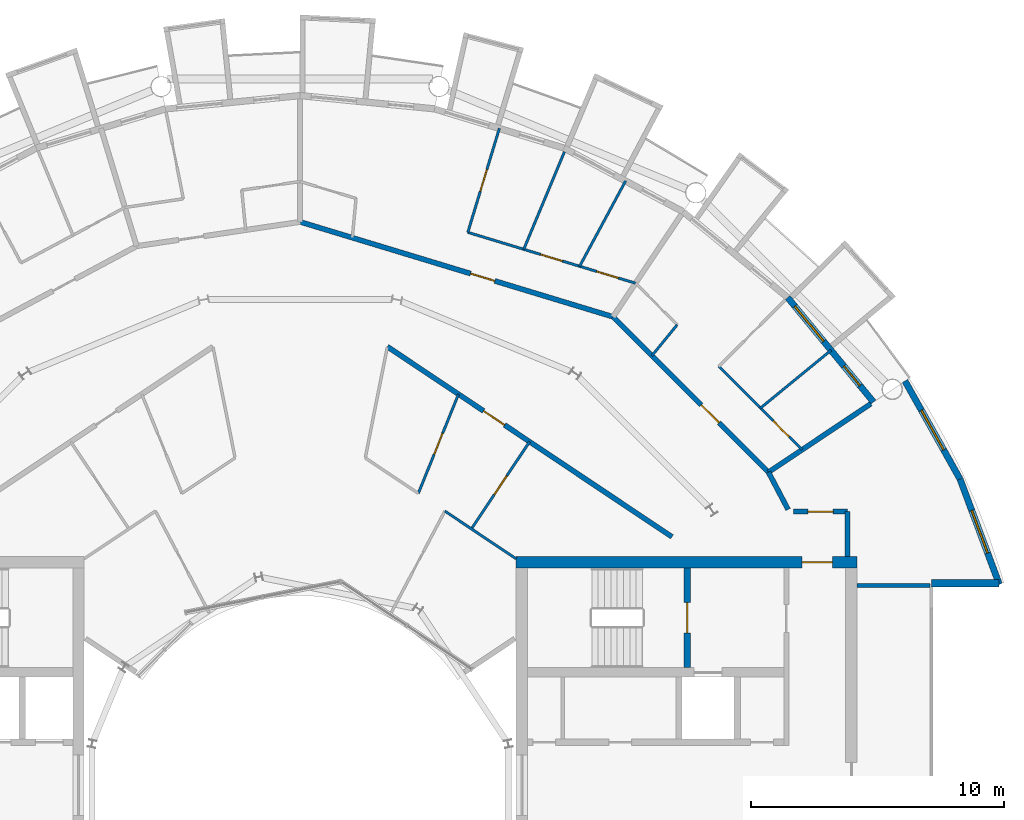
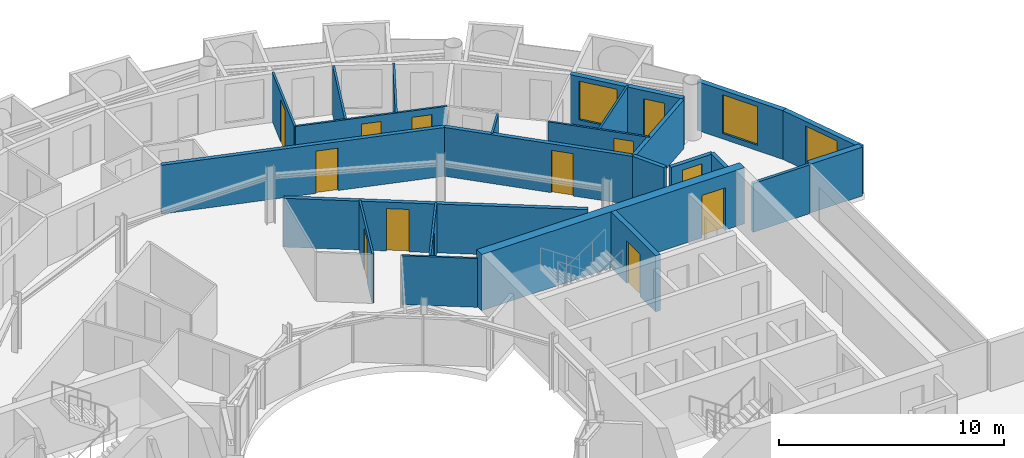
# One storey, part 23 of 28: 24 walls, 13 doors, 3 windows, 16 openings.
"""IFC4 building model written with IfcOpenShell, lengths in metres."""

from ifc_helpers import new_model, si_unit, direction, frame, frame_2d, origin, place, context, subcontext, project, spatial, rectangle, extrude, material, layer, layer_set, type_object, element, fill, save


model = new_model("IFC4")

# Units and contexts
model_context = context("Model", 3, precision=1e-05, world=origin(), true_north=direction((0.0, 1.0)))
body_context = subcontext(model_context, "Body", "Model", "MODEL_VIEW")
ifc_project = project(units=[si_unit("LENGTHUNIT", "METRE"), si_unit("AREAUNIT", "SQUARE_METRE"), si_unit("VOLUMEUNIT", "CUBIC_METRE"), si_unit("PLANEANGLEUNIT", "RADIAN"), si_unit("MASSUNIT", "GRAM", prefix="KILO")], contexts=[model_context])

# Site, building, storey
site_placement = place(None, origin())
site = spatial("IfcSite", under=ifc_project, at=site_placement, CompositionType="ELEMENT")
building_placement = place(site_placement, origin())
building = spatial("IfcBuilding", under=site, at=building_placement, Name="Maasbend Ring Residences", CompositionType="ELEMENT")
storey_placement = place(building_placement, frame((0.0, 0.0, 218.800048828125)))
storey = spatial("IfcBuildingStorey", under=building, at=storey_placement, Name="L63", CompositionType="ELEMENT", Elevation=218.800048828125)

# Wall, opening, door
ifc_material_1 = material(Name="Concrete C50/60", Category="concrete")
ifc_layer_1 = layer(ifc_material_1, 0.25)
ifc_layer_set_1 = layer_set([ifc_layer_1], Name="Concrete C50/60")
wall_type_1 = type_object("IfcWallType", Name="CORE WALL 250 C50/60", PredefinedType="SHEAR", material=ifc_layer_set_1)
wall_1_placement = place(storey_placement, frame((15.324951171875, 4.64990234375, 0.0), z_axis=(0.0, 0.0, 1.0), x_axis=(0.0, 1.0, 0.0)))
wall_1 = element("IfcWall", 1, at=wall_1_placement, inside=storey, type_object=wall_type_1, Name="L63 core E wall STEN", PredefinedType="SHEAR", context=body_context, shape_type="SweptSolid", body=[
    extrude(rectangle(XDim=3.9501953125, YDim=0.25, at=frame_2d((1.97509765625, 0.0))), origin(), (0.0, 0.0, 1.0), 3.050048828125),
])
opening_1_placement = place(wall_1_placement, frame((1.375, 0.0, 0.0)))
opening_1 = element("IfcOpeningElement", 2, at=opening_1_placement, cuts=wall_1, Name="Opening D-E6311", PredefinedType="OPENING", context=body_context, shape_type="SweptSolid", body=[
    extrude(rectangle(XDim=1.199951171875, YDim=2.300048828125, at=frame_2d((0.60009765625, 1.14990234375))), frame((0.0, 0.135009765625, 0.0), z_axis=(0.0, -1.0, 0.0), x_axis=(1.0, 0.0, 0.0)), (0.0, 0.0, 1.0), 0.27001953125),
])
ifc_material_2 = material(Name="Steel, powder coated", Category="steel")
door_type_1 = type_object("IfcDoorType", Name="STAIR DOOR 1200 X 2300 FD60", OperationType="NOTDEFINED", PredefinedType="DOOR", material=ifc_material_2)
door_1_placement = place(opening_1_placement, origin())
door_1 = element("IfcDoor", 3, at=door_1_placement, inside=storey, type_object=door_type_1, Name="Stair door ST-E L63", OperationType="SINGLE_SWING_LEFT", OverallHeight=2.300048828125, OverallWidth=1.199951171875, PredefinedType="DOOR", context=body_context, shape_type="SweptSolid", body=[
    extrude(rectangle(XDim=1.199951171875, YDim=2.300048828125, at=frame_2d((0.60009765625, 1.14990234375))), frame((0.0, 0.02490234375, 0.0), z_axis=(0.0, -1.0, 0.0), x_axis=(1.0, 0.0, 0.0)), (0.0, 0.0, 1.0), 0.050048828125),
])
fill(opening_1, door_1)

ifc_material_3 = material(Name="Concrete C50/60", Category="concrete")
ifc_layer_2 = layer(ifc_material_3, 0.449951171875)
ifc_layer_set_2 = layer_set([ifc_layer_2], Name="Concrete C50/60")
wall_type_2 = type_object("IfcWallType", Name="CORE WALL 450 C50/60", PredefinedType="SHEAR", material=ifc_layer_set_2)
wall_2_placement = place(storey_placement, frame((22.050048828125, 8.824951171875, 0.0), z_axis=(0.0, 0.0, 1.0), x_axis=(-1.0, 0.0, 0.0)))
wall_2 = element("IfcWall", 4, at=wall_2_placement, inside=storey, type_object=wall_type_2, Name="L63 core E wall PN", PredefinedType="SHEAR", context=body_context, shape_type="SweptSolid", body=[
    extrude(rectangle(XDim=13.5, YDim=0.449951171875, at=frame_2d((6.75, 0.0))), origin(), (0.0, 0.0, 1.0), 3.050048828125),
])
opening_2_placement = place(wall_2_placement, frame((0.97509765625, 0.0, 0.0)))
opening_2 = element("IfcOpeningElement", 5, at=opening_2_placement, cuts=wall_2, Name="Opening D-E6315", PredefinedType="OPENING", context=body_context, shape_type="SweptSolid", body=[
    extrude(rectangle(XDim=1.199951171875, YDim=2.300048828125, at=frame_2d((0.60009765625, 1.14990234375))), frame((0.0, 0.23486328125, 0.0), z_axis=(0.0, -1.0, 0.0), x_axis=(1.0, 0.0, 0.0)), (0.0, 0.0, 1.0), 0.469970703125),
])
ifc_material_4 = material(Name="Steel, powder coated", Category="steel")
door_type_2 = type_object("IfcDoorType", Name="CORRIDOR DOOR 1200 X 2300 FD30S", OperationType="NOTDEFINED", PredefinedType="DOOR", material=ifc_material_4)
door_2_placement = place(opening_2_placement, origin())
door_2 = element("IfcDoor", 6, at=door_2_placement, inside=storey, type_object=door_type_2, Name="Corridor door L63", OperationType="SINGLE_SWING_RIGHT", OverallHeight=2.300048828125, OverallWidth=1.199951171875, PredefinedType="DOOR", context=body_context, shape_type="SweptSolid", body=[
    extrude(rectangle(XDim=1.199951171875, YDim=2.300048828125, at=frame_2d((0.60009765625, 1.14990234375))), frame((0.0, 0.02490234375, 0.0), z_axis=(0.0, -1.0, 0.0), x_axis=(1.0, 0.0, 0.0)), (0.0, 0.0, 1.0), 0.050048828125),
])
fill(opening_2, door_2)

# Wall
ifc_material_5 = material(Name="Concrete C30/37", Category="concrete")
ifc_layer_3 = layer(ifc_material_5, 0.199951171875)
ifc_layer_set_3 = layer_set([ifc_layer_3], Name="Concrete C30/37")
wall_type_3 = type_object("IfcWallType", Name="CORRIDOR WALL 200 CONCRETE", PredefinedType="PARTITIONING", material=ifc_layer_set_3)
wall_3_placement = place(storey_placement, frame((21.675048828125, 9.050048828125, 0.0), z_axis=(0.0, 0.0, 1.0), x_axis=(0.0, 1.0, 0.0)))
element("IfcWall", 7, at=wall_3_placement, inside=storey, type_object=wall_type_3, Name="U-L63-w018", PredefinedType="PARTITIONING", context=body_context, shape_type="SweptSolid", body=[
    extrude(rectangle(XDim=1.77490234375, YDim=0.199951171875, at=frame_2d((0.887451171875, 0.0))), origin(), (0.0, 0.0, 1.0), 2.64990234375),
])

# Wall, opening, door
wall_4_placement = place(storey_placement, frame((19.52294921875, 10.824951171875, 0.0), z_axis=(0.0, 0.0, 1.0), x_axis=(1.0, 0.0, 0.0)))
wall_4 = element("IfcWall", 8, at=wall_4_placement, inside=storey, type_object=wall_type_3, Name="U-L63-w092", PredefinedType="PARTITIONING", context=body_context, shape_type="SweptSolid", body=[
    extrude(rectangle(XDim=2.152099609375, YDim=0.199951171875, at=frame_2d((1.076171875, 0.0))), origin(), (0.0, 0.0, 1.0), 2.64990234375),
])
opening_3_placement = place(wall_4_placement, frame((0.575927734375, 0.0, 0.0)))
opening_3 = element("IfcOpeningElement", 9, at=opening_3_placement, cuts=wall_4, Name="Opening D-6361", PredefinedType="OPENING", context=body_context, shape_type="SweptSolid", body=[
    extrude(rectangle(XDim=1.0, YDim=2.300048828125, at=frame_2d((0.5, 1.14990234375))), frame((0.0, 0.10986328125, 0.0), z_axis=(0.0, -1.0, 0.0), x_axis=(1.0, 0.0, 0.0)), (0.0, 0.0, 1.0), 0.219970703125),
])
ifc_material_6 = material(Name="Timber, painted", Category="wood")
door_type_3 = type_object("IfcDoorType", Name="ROOM DOOR 1000 X 2300", OperationType="NOTDEFINED", PredefinedType="DOOR", material=ifc_material_6)
door_3_placement = place(opening_3_placement, origin())
door_3 = element("IfcDoor", 10, at=door_3_placement, inside=storey, type_object=door_type_3, Name="D-6361", OperationType="SINGLE_SWING_LEFT", OverallHeight=2.300048828125, OverallWidth=1.0, PredefinedType="DOOR", context=body_context, shape_type="SweptSolid", body=[
    extrude(rectangle(XDim=1.0, YDim=2.300048828125, at=frame_2d((0.5, 1.14990234375))), frame((0.0, 0.02490234375, 0.0), z_axis=(0.0, -1.0, 0.0), x_axis=(1.0, 0.0, 0.0)), (0.0, 0.0, 1.0), 0.050048828125),
])
fill(opening_3, door_3)

wall_5_placement = place(storey_placement, frame((3.452880859375, 17.360107421875, 0.0), z_axis=(0.0, 0.0, 1.0), x_axis=(0.831437137577, -0.555618831806, 0.0)))
wall_5 = element("IfcWall", 11, at=wall_5_placement, inside=storey, type_object=wall_type_3, Name="U-L63-w098", PredefinedType="PARTITIONING", context=body_context, shape_type="SweptSolid", body=[
    extrude(rectangle(XDim=13.549072265625, YDim=0.199951171875, at=frame_2d((6.7744140625, 0.0))), origin(), (0.0, 0.0, 1.0), 2.64990234375),
])
opening_4_placement = place(wall_5_placement, frame((4.5810546875, 0.0, 0.0)))
opening_4 = element("IfcOpeningElement", 12, at=opening_4_placement, cuts=wall_5, Name="Opening D-6320", PredefinedType="OPENING", context=body_context, shape_type="SweptSolid", body=[
    extrude(rectangle(XDim=1.0, YDim=2.300048828125, at=frame_2d((0.5, 1.14990234375))), frame((0.0, 0.10986328125, 0.0), z_axis=(0.0, -1.0, 0.0), x_axis=(1.0, 0.0, 0.0)), (0.0, 0.0, 1.0), 0.219970703125),
])
ifc_material_7 = material(Name="Timber, fire-rated, painted", Category="wood")
door_type_4 = type_object("IfcDoorType", Name="FLAT ENTRANCE DOOR 1000 X 2300 FIRE-RATED", OperationType="NOTDEFINED", PredefinedType="DOOR", material=ifc_material_7)
door_4_placement = place(opening_4_placement, origin())
door_4 = element("IfcDoor", 13, at=door_4_placement, inside=storey, type_object=door_type_4, Name="D-6320", OperationType="SINGLE_SWING_LEFT", OverallHeight=2.300048828125, OverallWidth=1.0, PredefinedType="DOOR", context=body_context, shape_type="SweptSolid", body=[
    extrude(rectangle(XDim=1.0, YDim=2.300048828125, at=frame_2d((0.5, 1.14990234375))), frame((0.0, 0.02490234375, 0.0), z_axis=(0.0, -1.0, 0.0), x_axis=(1.0, 0.0, 0.0)), (0.0, 0.0, 1.0), 0.050048828125),
])
fill(opening_4, door_4)

wall_6_placement = place(storey_placement, frame((0.0, 22.300048828125, 0.0), z_axis=(0.0, 0.0, 1.0), x_axis=(0.956942051091, -0.290279022415, 0.0)))
wall_6 = element("IfcWall", 14, at=wall_6_placement, inside=storey, type_object=wall_type_3, Name="U-L63-w099", PredefinedType="PARTITIONING", context=body_context, shape_type="SweptSolid", body=[
    extrude(rectangle(XDim=12.9462890625, YDim=0.199951171875, at=frame_2d((6.47314453125, 0.0))), origin(), (0.0, 0.0, 1.0), 2.64990234375),
])
opening_5_placement = place(wall_6_placement, frame((7.052001953125, 0.0, 0.0)))
opening_5 = element("IfcOpeningElement", 15, at=opening_5_placement, cuts=wall_6, Name="Opening D-6305", PredefinedType="OPENING", context=body_context, shape_type="SweptSolid", body=[
    extrude(rectangle(XDim=1.0, YDim=2.300048828125, at=frame_2d((0.5, 1.14990234375))), frame((0.0, 0.10986328125, 0.0), z_axis=(0.0, -1.0, 0.0), x_axis=(1.0, 0.0, 0.0)), (0.0, 0.0, 1.0), 0.219970703125),
])
door_5_placement = place(opening_5_placement, origin())
door_5 = element("IfcDoor", 16, at=door_5_placement, inside=storey, type_object=door_type_4, Name="D-6305", OperationType="SINGLE_SWING_RIGHT", OverallHeight=2.300048828125, OverallWidth=1.0, PredefinedType="DOOR", context=body_context, shape_type="SweptSolid", body=[
    extrude(rectangle(XDim=1.0, YDim=2.300048828125, at=frame_2d((0.5, 1.14990234375))), frame((0.0, 0.02490234375, 0.0), z_axis=(0.0, -1.0, 0.0), x_axis=(1.0, 0.0, 0.0)), (0.0, 0.0, 1.0), 0.050048828125),
])
fill(opening_5, door_5)

wall_7_placement = place(storey_placement, frame((12.388916015625, 18.5419921875, 0.0), z_axis=(0.0, 0.0, 1.0), x_axis=(0.707106781187, -0.707106781187, 0.0)))
wall_7 = element("IfcWall", 17, at=wall_7_placement, inside=storey, type_object=wall_type_3, Name="U-L63-w103", PredefinedType="PARTITIONING", context=body_context, shape_type="SweptSolid", body=[
    extrude(rectangle(XDim=8.70166015625, YDim=0.199951171875, at=frame_2d((4.350830078125, 0.0))), origin(), (0.0, 0.0, 1.0), 2.64990234375),
])
opening_6_placement = place(wall_7_placement, frame((4.93798828125, 0.0, 0.0)))
opening_6 = element("IfcOpeningElement", 18, at=opening_6_placement, cuts=wall_7, Name="Opening D-6301", PredefinedType="OPENING", context=body_context, shape_type="SweptSolid", body=[
    extrude(rectangle(XDim=1.0, YDim=2.300048828125, at=frame_2d((0.5, 1.14990234375))), frame((0.0, 0.10986328125, 0.0), z_axis=(0.0, -1.0, 0.0), x_axis=(1.0, 0.0, 0.0)), (0.0, 0.0, 1.0), 0.219970703125),
])
door_6_placement = place(opening_6_placement, origin())
door_6 = element("IfcDoor", 19, at=door_6_placement, inside=storey, type_object=door_type_4, Name="D-6301", OperationType="SINGLE_SWING_RIGHT", OverallHeight=2.300048828125, OverallWidth=1.0, PredefinedType="DOOR", context=body_context, shape_type="SweptSolid", body=[
    extrude(rectangle(XDim=1.0, YDim=2.300048828125, at=frame_2d((0.5, 1.14990234375))), frame((0.0, 0.02490234375, 0.0), z_axis=(0.0, -1.0, 0.0), x_axis=(1.0, 0.0, 0.0)), (0.0, 0.0, 1.0), 0.050048828125),
])
fill(opening_6, door_6)

# Wall
wall_8_placement = place(storey_placement, frame((18.5419921875, 12.388916015625, 0.0), z_axis=(0.0, 0.0, 1.0), x_axis=(0.465359652486, -0.885121683068, 0.0)))
element("IfcWall", 20, at=wall_8_placement, inside=storey, type_object=wall_type_3, Name="U-L63-w107", PredefinedType="PARTITIONING", context=body_context, shape_type="SweptSolid", body=[
    extrude(rectangle(XDim=1.665283203125, YDim=0.199951171875, at=frame_2d((0.83251953125, 0.0))), origin(), (0.0, 0.0, 1.0), 2.64990234375),
])

# Wall, openings, door, window
ifc_material_8 = material(Name="Aluminium clad insulated panel", Category="aluminium")
ifc_layer_4 = layer(ifc_material_8, 0.25)
ifc_layer_set_4 = layer_set([ifc_layer_4], Name="EW-GL")
wall_type_4 = type_object("IfcWallType", Name="EW-GL", PredefinedType="SOLIDWALL", material=ifc_layer_set_4)
wall_9_placement = place(storey_placement, frame((22.698974609375, 15.1669921875, 0.0), z_axis=(0.0, 0.0, 1.0), x_axis=(-0.634382322723, 0.773019449054, 0.0)))
wall_9 = element("IfcWall", 21, at=wall_9_placement, inside=storey, type_object=wall_type_4, Name="External wall N01", PredefinedType="SOLIDWALL", context=body_context, shape_type="SweptSolid", body=[
    extrude(rectangle(XDim=5.351806640625, YDim=0.25, at=frame_2d((2.67578125, 0.0))), origin(), (0.0, 0.0, 1.0), 2.64990234375),
])
opening_7_placement = place(wall_9_placement, frame((0.841064453125, 0.0, 0.0)))
opening_7 = element("IfcOpeningElement", 22, at=opening_7_placement, cuts=wall_9, Name="Opening D-LG", PredefinedType="OPENING", context=body_context, shape_type="SweptSolid", body=[
    extrude(rectangle(XDim=1.0, YDim=2.199951171875, at=frame_2d((0.5, 1.10009765625))), frame((0.0, 0.135009765625, 0.0), z_axis=(0.0, -1.0, 0.0), x_axis=(1.0, 0.0, 0.0)), (0.0, 0.0, 1.0), 0.27001953125),
])
opening_8_placement = place(wall_9_placement, frame((3.110595703125, 0.0, 0.300048828125)))
opening_8 = element("IfcOpeningElement", 23, at=opening_8_placement, cuts=wall_9, Name="Opening W-BX", PredefinedType="OPENING", context=body_context, shape_type="SweptSolid", body=[
    extrude(rectangle(XDim=1.800048828125, YDim=2.10009765625, at=frame_2d((0.89990234375, 1.050048828125))), frame((0.0, 0.135009765625, 0.0), z_axis=(0.0, -1.0, 0.0), x_axis=(1.0, 0.0, 0.0)), (0.0, 0.0, 1.0), 0.27001953125),
])
ifc_material_9 = material(Name="Aluminium and clear glass", Category="aluminium")
door_type_5 = type_object("IfcDoorType", Name="D-LG", OperationType="SINGLE_SWING_LEFT", PredefinedType="DOOR", material=ifc_material_9)
door_7_placement = place(opening_7_placement, origin())
door_7 = element("IfcDoor", 24, at=door_7_placement, inside=storey, type_object=door_type_5, Name="Loggia door N01", OperationType="SINGLE_SWING_LEFT", OverallHeight=2.199951171875, OverallWidth=1.0, PredefinedType="DOOR", context=body_context, shape_type="SweptSolid", body=[
    extrude(rectangle(XDim=1.0, YDim=2.199951171875, at=frame_2d((0.5, 1.10009765625))), frame((0.0, 0.02490234375, 0.0), z_axis=(0.0, -1.0, 0.0), x_axis=(1.0, 0.0, 0.0)), (0.0, 0.0, 1.0), 0.050048828125),
])
fill(opening_7, door_7)
ifc_material_10 = material(Name="Aluminium and clear glass", Category="aluminium")
window_type = type_object("IfcWindowType", Name="W-BX", PartitioningType="DOUBLE_PANEL_VERTICAL", PredefinedType="WINDOW", material=ifc_material_10)
window_1_placement = place(opening_8_placement, origin())
window_1 = element("IfcWindow", 25, at=window_1_placement, inside=storey, type_object=window_type, Name="Window N02 room to box", OverallHeight=2.10009765625, OverallWidth=1.800048828125, PartitioningType="SINGLE_PANEL", PredefinedType="WINDOW", context=body_context, shape_type="SweptSolid", body=[
    extrude(rectangle(XDim=1.800048828125, YDim=2.10009765625, at=frame_2d((0.89990234375, 1.050048828125))), frame((0.0, 0.030029296875, 0.0), z_axis=(0.0, -1.0, 0.0), x_axis=(1.0, 0.0, 0.0)), (0.0, 0.0, 1.0), 0.06005859375),
])
fill(opening_8, window_1)

# Wall, opening, window
ifc_material_11 = material(Name="Aluminium clad insulated panel", Category="aluminium")
ifc_layer_5 = layer(ifc_material_11, 0.25)
ifc_layer_set_5 = layer_set([ifc_layer_5], Name="EW-HORN")
wall_type_5 = type_object("IfcWallType", Name="EW-HORN", PredefinedType="SOLIDWALL", material=ifc_layer_set_5)
wall_10_placement = place(storey_placement, frame((27.681884765625, 7.945068359375, 0.0), z_axis=(0.0, 0.0, 1.0), x_axis=(-0.349247811493, 0.937030397675, 0.0)))
wall_10 = element("IfcWall", 26, at=wall_10_placement, inside=storey, type_object=wall_type_5, Name="Horn wall 1.1", PredefinedType="SOLIDWALL", context=body_context, shape_type="SweptSolid", body=[
    extrude(rectangle(XDim=4.4521484375, YDim=0.25, at=frame_2d((2.22607421875, 0.0))), origin(), (0.0, 0.0, 1.0), 2.64990234375),
])
opening_9_placement = place(wall_10_placement, frame((1.32666015625, 0.0, 0.300048828125)))
opening_9 = element("IfcOpeningElement", 27, at=opening_9_placement, cuts=wall_10, Name="Opening W-BX", PredefinedType="OPENING", context=body_context, shape_type="SweptSolid", body=[
    extrude(rectangle(XDim=1.800048828125, YDim=2.10009765625, at=frame_2d((0.89990234375, 1.050048828125))), frame((0.0, 0.135009765625, 0.0), z_axis=(0.0, -1.0, 0.0), x_axis=(1.0, 0.0, 0.0)), (0.0, 0.0, 1.0), 0.27001953125),
])
window_2_placement = place(opening_9_placement, origin())
window_2 = element("IfcWindow", 28, at=window_2_placement, inside=storey, type_object=window_type, Name="Horn window 1.1", OverallHeight=2.10009765625, OverallWidth=1.800048828125, PartitioningType="SINGLE_PANEL", PredefinedType="WINDOW", context=body_context, shape_type="SweptSolid", body=[
    extrude(rectangle(XDim=1.800048828125, YDim=2.10009765625, at=frame_2d((0.89990234375, 1.050048828125))), frame((0.0, 0.030029296875, 0.0), z_axis=(0.0, -1.0, 0.0), x_axis=(1.0, 0.0, 0.0)), (0.0, 0.0, 1.0), 0.06005859375),
])
fill(opening_9, window_2)

wall_11_placement = place(storey_placement, frame((26.126953125, 12.116943359375, 0.0), z_axis=(0.0, 0.0, 1.0), x_axis=(-0.489696356642, 0.871893042919, 0.0)))
wall_11 = element("IfcWall", 29, at=wall_11_placement, inside=storey, type_object=wall_type_5, Name="Horn wall 1.2", PredefinedType="SOLIDWALL", context=body_context, shape_type="SweptSolid", body=[
    extrude(rectangle(XDim=4.45361328125, YDim=0.25, at=frame_2d((2.226806640625, 0.0))), origin(), (0.0, 0.0, 1.0), 2.64990234375),
])
opening_10_placement = place(wall_11_placement, frame((1.32666015625, 0.0, 0.300048828125)))
opening_10 = element("IfcOpeningElement", 30, at=opening_10_placement, cuts=wall_11, Name="Opening W-BX", PredefinedType="OPENING", context=body_context, shape_type="SweptSolid", body=[
    extrude(rectangle(XDim=1.800048828125, YDim=2.10009765625, at=frame_2d((0.89990234375, 1.050048828125))), frame((0.0, 0.135009765625, 0.0), z_axis=(0.0, -1.0, 0.0), x_axis=(1.0, 0.0, 0.0)), (0.0, 0.0, 1.0), 0.27001953125),
])
window_3_placement = place(opening_10_placement, origin())
window_3 = element("IfcWindow", 31, at=window_3_placement, inside=storey, type_object=window_type, Name="Horn window 1.2", OverallHeight=2.10009765625, OverallWidth=1.800048828125, PartitioningType="SINGLE_PANEL", PredefinedType="WINDOW", context=body_context, shape_type="SweptSolid", body=[
    extrude(rectangle(XDim=1.800048828125, YDim=2.10009765625, at=frame_2d((0.89990234375, 1.050048828125))), frame((0.0, 0.030029296875, 0.0), z_axis=(0.0, -1.0, 0.0), x_axis=(1.0, 0.0, 0.0)), (0.0, 0.0, 1.0), 0.06005859375),
])
fill(opening_10, window_3)

# Wall
ifc_material_12 = material(Name="Aluminium clad insulated panel", Category="aluminium")
ifc_layer_6 = layer(ifc_material_12, 0.300048828125)
ifc_layer_set_6 = layer_set([ifc_layer_6], Name="EW-RET")
wall_type_6 = type_object("IfcWallType", Name="EW-RET", PredefinedType="SOLIDWALL", material=ifc_layer_set_6)
wall_12_placement = place(storey_placement, frame((25.0, 8.0, 0.0), z_axis=(0.0, 0.0, 1.0), x_axis=(1.0, 0.0, 0.0)))
element("IfcWall", 32, at=wall_12_placement, inside=storey, type_object=wall_type_6, Name="Notch return wall east north", PredefinedType="SOLIDWALL", context=body_context, shape_type="SweptSolid", body=[
    extrude(rectangle(XDim=2.6669921875, YDim=0.300048828125, at=frame_2d((1.33349609375, 0.0))), origin(), (0.0, 0.0, 1.0), 2.64990234375),
])

# Wall, opening, door
ifc_material_13 = material(Name="Gypsum board on steel studs", Category="steel")
ifc_layer_7 = layer(ifc_material_13, 0.10009765625)
ifc_layer_set_7 = layer_set([ifc_layer_7], Name="PARTITION 100 GYPSUM")
wall_type_7 = type_object("IfcWallType", Name="PARTITION 100 GYPSUM", PredefinedType="PARTITIONING", material=ifc_layer_set_7)
wall_13_placement = place(storey_placement, frame((4.677978515625, 11.551025390625, 0.0), z_axis=(0.0, 0.0, 1.0), x_axis=(0.375509828455, 0.926818411952, 0.0)))
wall_13 = element("IfcWall", 33, at=wall_13_placement, inside=storey, type_object=wall_type_7, Name="U-L63-w069", PredefinedType="PARTITIONING", context=body_context, shape_type="SweptSolid", body=[
    extrude(rectangle(XDim=4.237060546875, YDim=0.10009765625, at=frame_2d((2.11865234375, 0.0))), origin(), (0.0, 0.0, 1.0), 2.64990234375),
])
opening_11_placement = place(wall_13_placement, frame((1.6689453125, 0.0, 0.0)))
opening_11 = element("IfcOpeningElement", 34, at=opening_11_placement, cuts=wall_13, Name="Opening D-6321", PredefinedType="OPENING", context=body_context, shape_type="SweptSolid", body=[
    extrude(rectangle(XDim=0.89990234375, YDim=2.300048828125, at=frame_2d((0.449951171875, 1.14990234375))), frame((0.0, 0.06005859375, 0.0), z_axis=(0.0, -1.0, 0.0), x_axis=(1.0, 0.0, 0.0)), (0.0, 0.0, 1.0), 0.1201171875),
])
ifc_material_14 = material(Name="Timber, painted", Category="wood")
door_type_6 = type_object("IfcDoorType", Name="INTERNAL DOOR 900 X 2300", OperationType="NOTDEFINED", PredefinedType="DOOR", material=ifc_material_14)
door_8_placement = place(opening_11_placement, origin())
door_8 = element("IfcDoor", 35, at=door_8_placement, inside=storey, type_object=door_type_6, Name="D-6321", OperationType="SINGLE_SWING_RIGHT", OverallHeight=2.300048828125, OverallWidth=0.89990234375, PredefinedType="DOOR", context=body_context, shape_type="SweptSolid", body=[
    extrude(rectangle(XDim=0.89990234375, YDim=2.300048828125, at=frame_2d((0.449951171875, 1.14990234375))), frame((0.0, 0.02490234375, 0.0), z_axis=(0.0, -1.0, 0.0), x_axis=(1.0, 0.0, 0.0)), (0.0, 0.0, 1.0), 0.050048828125),
])
fill(opening_11, door_8)

wall_14_placement = place(storey_placement, frame((6.638916015625, 21.885986328125, 0.0), z_axis=(0.0, 0.0, 1.0), x_axis=(0.290193157742, 0.956968093094, 0.0)))
wall_14 = element("IfcWall", 36, at=wall_14_placement, inside=storey, type_object=wall_type_7, Name="U-L63-w070", PredefinedType="PARTITIONING", context=body_context, shape_type="SweptSolid", body=[
    extrude(rectangle(XDim=4.30419921875, YDim=0.10009765625, at=frame_2d((2.152099609375, 0.0))), origin(), (0.0, 0.0, 1.0), 2.64990234375),
])
opening_12_placement = place(wall_14_placement, frame((1.701904296875, 0.0, 0.0)))
opening_12 = element("IfcOpeningElement", 37, at=opening_12_placement, cuts=wall_14, Name="Opening D-6307", PredefinedType="OPENING", context=body_context, shape_type="SweptSolid", body=[
    extrude(rectangle(XDim=0.89990234375, YDim=2.300048828125, at=frame_2d((0.449951171875, 1.14990234375))), frame((0.0, 0.06005859375, 0.0), z_axis=(0.0, -1.0, 0.0), x_axis=(1.0, 0.0, 0.0)), (0.0, 0.0, 1.0), 0.1201171875),
])
door_9_placement = place(opening_12_placement, origin())
door_9 = element("IfcDoor", 38, at=door_9_placement, inside=storey, type_object=door_type_6, Name="D-6307", OperationType="SINGLE_SWING_RIGHT", OverallHeight=2.300048828125, OverallWidth=0.89990234375, PredefinedType="DOOR", context=body_context, shape_type="SweptSolid", body=[
    extrude(rectangle(XDim=0.89990234375, YDim=2.300048828125, at=frame_2d((0.449951171875, 1.14990234375))), frame((0.0, 0.02490234375, 0.0), z_axis=(0.0, -1.0, 0.0), x_axis=(1.0, 0.0, 0.0)), (0.0, 0.0, 1.0), 0.050048828125),
])
fill(opening_12, door_9)

wall_15_placement = place(storey_placement, frame((6.780029296875, 10.14697265625, 0.0), z_axis=(0.0, 0.0, 1.0), x_axis=(0.555528237031, 0.831497671591, 0.0)))
wall_15 = element("IfcWall", 39, at=wall_15_placement, inside=storey, type_object=wall_type_7, Name="U-L63-w072", PredefinedType="PARTITIONING", context=body_context, shape_type="SweptSolid", body=[
    extrude(rectangle(XDim=4.149169921875, YDim=0.10009765625, at=frame_2d((2.07470703125, 0.0))), origin(), (0.0, 0.0, 1.0), 2.64990234375),
])
opening_13_placement = place(wall_15_placement, frame((1.625, 0.0, 0.0)))
opening_13 = element("IfcOpeningElement", 40, at=opening_13_placement, cuts=wall_15, Name="Opening D-6322", PredefinedType="OPENING", context=body_context, shape_type="SweptSolid", body=[
    extrude(rectangle(XDim=0.89990234375, YDim=2.300048828125, at=frame_2d((0.449951171875, 1.14990234375))), frame((0.0, 0.06005859375, 0.0), z_axis=(0.0, -1.0, 0.0), x_axis=(1.0, 0.0, 0.0)), (0.0, 0.0, 1.0), 0.1201171875),
])
door_10_placement = place(opening_13_placement, origin())
door_10 = element("IfcDoor", 41, at=door_10_placement, inside=storey, type_object=door_type_6, Name="D-6322", OperationType="SINGLE_SWING_RIGHT", OverallHeight=2.300048828125, OverallWidth=0.89990234375, PredefinedType="DOOR", context=body_context, shape_type="SweptSolid", body=[
    extrude(rectangle(XDim=0.89990234375, YDim=2.300048828125, at=frame_2d((0.449951171875, 1.14990234375))), frame((0.0, 0.02490234375, 0.0), z_axis=(0.0, -1.0, 0.0), x_axis=(1.0, 0.0, 0.0)), (0.0, 0.0, 1.0), 0.050048828125),
])
fill(opening_13, door_10)

# Walls
wall_16_placement = place(storey_placement, frame((8.85205078125, 21.215087890625, 0.0), z_axis=(0.0, 0.0, 1.0), x_axis=(0.385232176411, 0.922819684585, 0.0)))
element("IfcWall", 42, at=wall_16_placement, inside=storey, type_object=wall_type_7, Name="U-L63-w074", PredefinedType="PARTITIONING", context=body_context, shape_type="SweptSolid", body=[
    extrude(rectangle(XDim=4.187255859375, YDim=0.10009765625, at=frame_2d((2.09375, 0.0))), origin(), (0.0, 0.0, 1.0), 2.64990234375),
])
wall_17_placement = place(storey_placement, frame((11.06494140625, 20.54296875, 0.0), z_axis=(0.0, 0.0, 1.0), x_axis=(0.474281720599, 0.88037313084, 0.0)))
element("IfcWall", 43, at=wall_17_placement, inside=storey, type_object=wall_type_7, Name="U-L63-w075", PredefinedType="PARTITIONING", context=body_context, shape_type="SweptSolid", body=[
    extrude(rectangle(XDim=3.841552734375, YDim=0.10009765625, at=frame_2d((1.9208984375, 0.0))), origin(), (0.0, 0.0, 1.0), 2.64990234375),
])
wall_18_placement = place(storey_placement, frame((18.22412109375, 14.927001953125, 0.0), z_axis=(0.0, 0.0, 1.0), x_axis=(0.773548271597, 0.633737383709, 0.0)))
element("IfcWall", 44, at=wall_18_placement, inside=storey, type_object=wall_type_7, Name="U-L63-w082", PredefinedType="PARTITIONING", context=body_context, shape_type="SweptSolid", body=[
    extrude(rectangle(XDim=3.6181640625, YDim=0.10009765625, at=frame_2d((1.80908203125, 0.0))), origin(), (0.0, 0.0, 1.0), 2.64990234375),
])
wall_19_placement = place(storey_placement, frame((13.927001953125, 17.00390625, 0.0), z_axis=(0.0, 0.0, 1.0), x_axis=(0.633861186344, 0.773446828454, 0.0)))
element("IfcWall", 45, at=wall_19_placement, inside=storey, type_object=wall_type_7, Name="U-L63-w087", PredefinedType="PARTITIONING", context=body_context, shape_type="SweptSolid", body=[
    extrude(rectangle(XDim=1.57763671875, YDim=0.10009765625, at=frame_2d((0.788818359375, 0.0))), origin(), (0.0, 0.0, 1.0), 2.64990234375),
])
wall_20_placement = place(storey_placement, frame((5.72900390625, 10.84912109375, 0.0), z_axis=(0.0, 0.0, 1.0), x_axis=(0.83129689803, -0.555828631257, 0.0)))
element("IfcWall", 46, at=wall_20_placement, inside=storey, type_object=wall_type_7, Name="U-L63-w096", PredefinedType="PARTITIONING", context=body_context, shape_type="SweptSolid", body=[
    extrude(rectangle(XDim=3.3935546875, YDim=0.10009765625, at=frame_2d((1.69677734375, 0.0))), origin(), (0.0, 0.0, 1.0), 2.64990234375),
])

# Wall, openings, doors
wall_21_placement = place(storey_placement, frame((6.638916015625, 21.885986328125, 0.0), z_axis=(0.0, 0.0, 1.0), x_axis=(0.956938868877, -0.290289512785, 0.0)))
wall_21 = element("IfcWall", 47, at=wall_21_placement, inside=storey, type_object=wall_type_7, Name="U-L63-w109", PredefinedType="PARTITIONING", context=body_context, shape_type="SweptSolid", body=[
    extrude(rectangle(XDim=6.94091796875, YDim=0.10009765625, at=frame_2d((3.470458984375, 0.0))), origin(), (0.0, 0.0, 1.0), 2.64990234375),
])
opening_14_placement = place(wall_21_placement, frame((3.01611328125, 0.0, 0.0)))
opening_14 = element("IfcOpeningElement", 48, at=opening_14_placement, cuts=wall_21, Name="Opening D-6308", PredefinedType="OPENING", context=body_context, shape_type="SweptSolid", body=[
    extrude(rectangle(XDim=0.89990234375, YDim=2.300048828125, at=frame_2d((0.449951171875, 1.14990234375))), frame((0.0, 0.06005859375, 0.0), z_axis=(0.0, -1.0, 0.0), x_axis=(1.0, 0.0, 0.0)), (0.0, 0.0, 1.0), 0.1201171875),
])
opening_15_placement = place(wall_21_placement, frame((5.3330078125, 0.0, 0.0)))
opening_15 = element("IfcOpeningElement", 49, at=opening_15_placement, cuts=wall_21, Name="Opening D-6309", PredefinedType="OPENING", context=body_context, shape_type="SweptSolid", body=[
    extrude(rectangle(XDim=0.89990234375, YDim=2.300048828125, at=frame_2d((0.449951171875, 1.14990234375))), frame((0.0, 0.06005859375, 0.0), z_axis=(0.0, -1.0, 0.0), x_axis=(1.0, 0.0, 0.0)), (0.0, 0.0, 1.0), 0.1201171875),
])
door_11_placement = place(opening_14_placement, origin())
door_11 = element("IfcDoor", 50, at=door_11_placement, inside=storey, type_object=door_type_6, Name="D-6308", OperationType="SINGLE_SWING_LEFT", OverallHeight=2.300048828125, OverallWidth=0.89990234375, PredefinedType="DOOR", context=body_context, shape_type="SweptSolid", body=[
    extrude(rectangle(XDim=0.89990234375, YDim=2.300048828125, at=frame_2d((0.449951171875, 1.14990234375))), frame((0.0, 0.02490234375, 0.0), z_axis=(0.0, -1.0, 0.0), x_axis=(1.0, 0.0, 0.0)), (0.0, 0.0, 1.0), 0.050048828125),
])
fill(opening_14, door_11)
door_12_placement = place(opening_15_placement, origin())
door_12 = element("IfcDoor", 51, at=door_12_placement, inside=storey, type_object=door_type_6, Name="D-6309", OperationType="SINGLE_SWING_RIGHT", OverallHeight=2.300048828125, OverallWidth=0.89990234375, PredefinedType="DOOR", context=body_context, shape_type="SweptSolid", body=[
    extrude(rectangle(XDim=0.89990234375, YDim=2.300048828125, at=frame_2d((0.449951171875, 1.14990234375))), frame((0.0, 0.02490234375, 0.0), z_axis=(0.0, -1.0, 0.0), x_axis=(1.0, 0.0, 0.0)), (0.0, 0.0, 1.0), 0.050048828125),
])
fill(opening_15, door_12)

# Wall, opening, door
wall_22_placement = place(storey_placement, frame((16.574951171875, 16.574951171875, 0.0), z_axis=(0.0, 0.0, 1.0), x_axis=(0.707132961115, -0.707080600289, 0.0)))
wall_22 = element("IfcWall", 52, at=wall_22_placement, inside=storey, type_object=wall_type_7, Name="U-L63-w113", PredefinedType="PARTITIONING", context=body_context, shape_type="SweptSolid", body=[
    extrude(rectangle(XDim=4.66259765625, YDim=0.10009765625, at=frame_2d((2.331298828125, 0.0))), origin(), (0.0, 0.0, 1.0), 2.64990234375),
])
opening_16_placement = place(wall_22_placement, frame((3.04296875, 0.0, 0.0)))
opening_16 = element("IfcOpeningElement", 53, at=opening_16_placement, cuts=wall_22, Name="Opening D-6304", PredefinedType="OPENING", context=body_context, shape_type="SweptSolid", body=[
    extrude(rectangle(XDim=0.89990234375, YDim=2.300048828125, at=frame_2d((0.449951171875, 1.14990234375))), frame((0.0, 0.06005859375, 0.0), z_axis=(0.0, -1.0, 0.0), x_axis=(1.0, 0.0, 0.0)), (0.0, 0.0, 1.0), 0.1201171875),
])
door_13_placement = place(opening_16_placement, origin())
door_13 = element("IfcDoor", 54, at=door_13_placement, inside=storey, type_object=door_type_6, Name="D-6304", OperationType="SINGLE_SWING_RIGHT", OverallHeight=2.300048828125, OverallWidth=0.89990234375, PredefinedType="DOOR", context=body_context, shape_type="SweptSolid", body=[
    extrude(rectangle(XDim=0.89990234375, YDim=2.300048828125, at=frame_2d((0.449951171875, 1.14990234375))), frame((0.0, 0.02490234375, 0.0), z_axis=(0.0, -1.0, 0.0), x_axis=(1.0, 0.0, 0.0)), (0.0, 0.0, 1.0), 0.050048828125),
])
fill(opening_16, door_13)

# Walls
ifc_material_15 = material(Name="Gypsum board on steel studs", Category="steel")
ifc_layer_8 = layer(ifc_material_15, 0.14990234375)
ifc_layer_set_8 = layer_set([ifc_layer_8], Name="PARTITION 150 EI 60")
wall_type_8 = type_object("IfcWallType", Name="PARTITION 150 EI 60", PredefinedType="PARTITIONING", material=ifc_layer_set_8)
wall_23_placement = place(storey_placement, frame((22.050048828125, 7.89990234375, 0.0), z_axis=(0.0, 0.0, 1.0), x_axis=(1.0, 0.0, 0.0)))
element("IfcWall", 55, at=wall_23_placement, inside=storey, type_object=wall_type_8, Name="L63 core E wall CITN", PredefinedType="PARTITIONING", context=body_context, shape_type="SweptSolid", body=[
    extrude(rectangle(XDim=2.889892578125, YDim=0.14990234375, at=frame_2d((1.44482421875, 0.0))), origin(), (0.0, 0.0, 1.0), 2.64990234375),
])
ifc_material_16 = material(Name="Concrete C30/37", Category="concrete")
ifc_layer_9 = layer(ifc_material_16, 0.199951171875)
ifc_layer_set_9 = layer_set([ifc_layer_9], Name="Concrete C30/37")
wall_type_9 = type_object("IfcWallType", Name="PARTY WALL 200 CONCRETE", PredefinedType="PARTITIONING", material=ifc_layer_set_9)
wall_24_placement = place(storey_placement, frame((18.5419921875, 12.388916015625, 0.0), z_axis=(0.0, 0.0, 1.0), x_axis=(0.831387096605, 0.55569370664, 0.0)))
element("IfcWall", 56, at=wall_24_placement, inside=storey, type_object=wall_type_9, Name="U-L63-w084", PredefinedType="PARTITIONING", context=body_context, shape_type="SweptSolid", body=[
    extrude(rectangle(XDim=4.875, YDim=0.199951171875, at=frame_2d((2.4375, 0.0))), origin(), (0.0, 0.0, 1.0), 2.64990234375),
])

save(model, "model.ifc")
